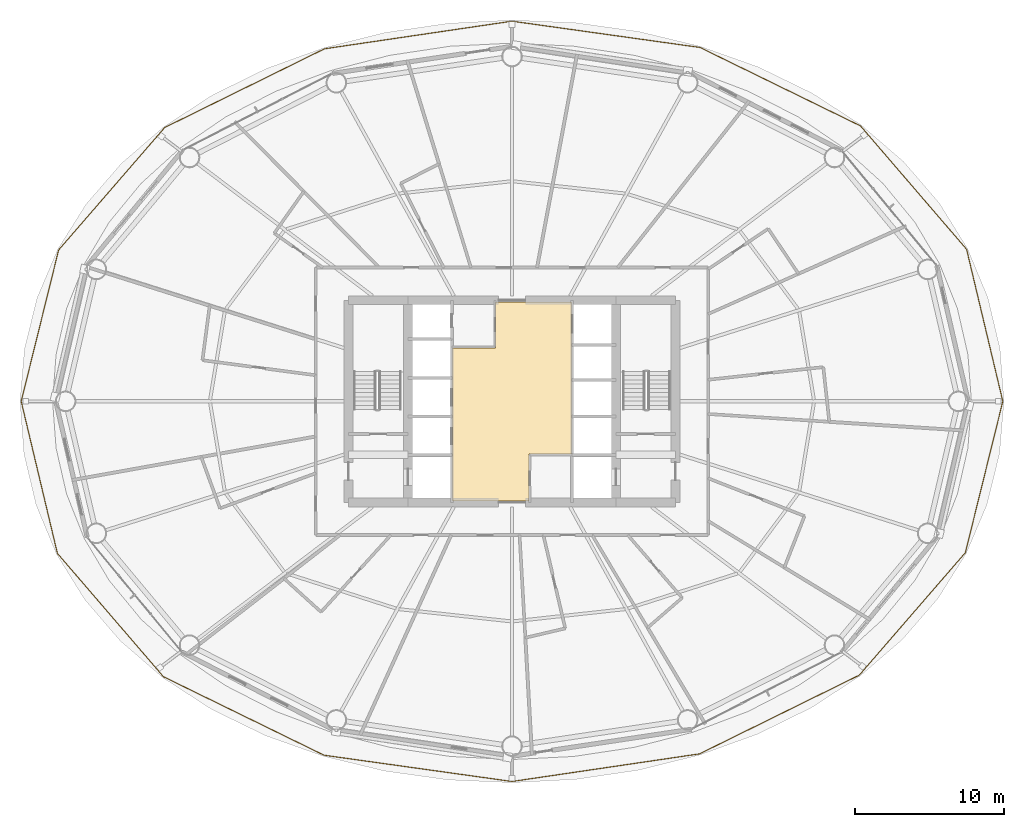
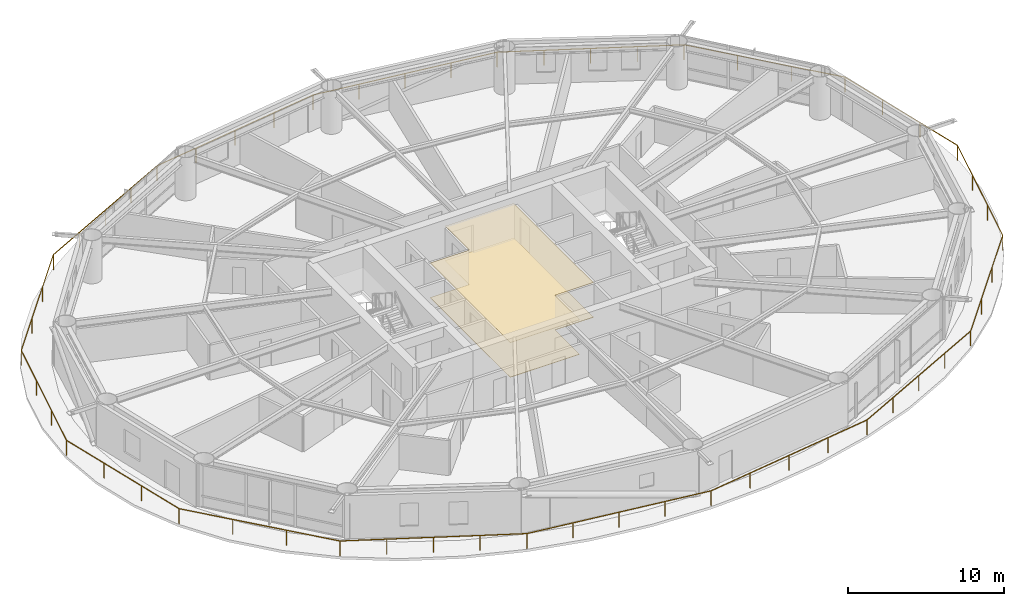
# One storey, part 25 of 26: 2 coverings, 1 railing.
"""IFC4 building model written with IfcOpenShell, lengths in metres."""

import ifcopenshell
import ifcopenshell.guid

model = None  # the IFC model being written
_history = None  # IfcOwnerHistory: only IFC2X3 demands one
_inside = {}  # id of a spatial element -> (the spatial element, [elements in it])
_under = {}  # id of a project, library or spatial element -> (it, [spatial elements below it])
_declared = {}  # id of a project -> (the project, [libraries it declares])
_typed = {}  # id of a type object -> (the type object, [elements of that type])
_made_of = {}  # id of a material, layer set ... -> (it, [elements and type objects made of it])


def new_model(schema):
    """Start an empty IFC model of exactly this schema.

    Asked for "IFC4X3", IfcOpenShell would pick the latest addendum, in which some entities
    have other attributes; the version numbers below select the first issue.
    IFC2X3 requires an IfcOwnerHistory on every rooted entity: one is made here for all.
    """
    global model, _history
    if schema == "IFC4X3":
        model = ifcopenshell.file(schema_version=(4, 3, 0, 0))
    else:
        model = ifcopenshell.file(schema=schema)
    _inside.clear()
    _under.clear()
    _declared.clear()
    _typed.clear()
    _made_of.clear()
    _history = None
    if model.schema == "IFC2X3":
        org = make("IfcOrganization", Name="unknown")
        user = make(
            "IfcPersonAndOrganization",
            ThePerson=make("IfcPerson", FamilyName="unknown"),
            TheOrganization=org,
        )
        app = make(
            "IfcApplication",
            ApplicationDeveloper=org,
            Version="unknown",
            ApplicationFullName="unknown",
            ApplicationIdentifier="unknown",
        )
        _history = make(
            "IfcOwnerHistory",
            OwningUser=user,
            OwningApplication=app,
            ChangeAction="ADDED",
            CreationDate=0,
        )
    return model


def make(cls, **values):
    """One entity of the class cls with the attributes given. An attribute that is None is left unset."""
    return model.create_entity(
        cls, **{name: value for name, value in values.items() if value is not None}
    )


def rooted(cls, **values):
    """An entity with a GlobalId (a new one), such as an element, a storey or a relation."""
    return make(cls, GlobalId=ifcopenshell.guid.new(), OwnerHistory=_history, **values)


def si_unit(unit_type, name, prefix=None):
    """IfcSIUnit, for example si_unit("LENGTHUNIT", "METRE", prefix="MILLI")."""
    return make("IfcSIUnit", UnitType=unit_type, Prefix=prefix, Name=name)


def assignment(units):
    """IfcUnitAssignment: the units of a project."""
    return None if units is None else make("IfcUnitAssignment", Units=units)


def point(xyz):
    """IfcCartesianPoint."""
    return None if xyz is None else make("IfcCartesianPoint", Coordinates=xyz)


def direction(xyz):
    """IfcDirection."""
    return None if xyz is None else make("IfcDirection", DirectionRatios=xyz)


def frame(location, z_axis=None, x_axis=None):
    """IfcAxis2Placement3D, a coordinate frame: its origin and axes. An axis left out is left unset."""
    return make(
        "IfcAxis2Placement3D",
        Location=point(location),
        Axis=direction(z_axis),
        RefDirection=direction(x_axis),
    )


def frame_2d(location, x_axis=None):
    """IfcAxis2Placement2D, a coordinate frame in the plane: its origin and x axis."""
    return make(
        "IfcAxis2Placement2D", Location=point(location), RefDirection=direction(x_axis)
    )


def origin():
    """The frame at (0, 0, 0) with its axes left unset."""
    return frame((0.0, 0.0, 0.0))


def origin_2d():
    """The frame at (0, 0) in the plane with its x axis left unset."""
    return frame_2d((0.0, 0.0))


def place(relative_to, where):
    """IfcLocalPlacement: puts the frame where relative to a parent placement (None: the world)."""
    return make(
        "IfcLocalPlacement", PlacementRelTo=relative_to, RelativePlacement=where
    )


def context(
    kind, dimensions, precision=None, world=None, true_north=None, identifier=None
):
    """IfcGeometricRepresentationContext, for example the 3D "Model" context."""
    return make(
        "IfcGeometricRepresentationContext",
        ContextIdentifier=identifier,
        ContextType=kind,
        CoordinateSpaceDimension=dimensions,
        Precision=precision,
        WorldCoordinateSystem=world,
        TrueNorth=true_north,
    )


def subcontext(parent, identifier, kind, view, scale=None):
    """IfcGeometricRepresentationSubContext, for example "Body" below "Model"."""
    return make(
        "IfcGeometricRepresentationSubContext",
        ContextIdentifier=identifier,
        ContextType=kind,
        ParentContext=parent,
        TargetScale=scale,
        TargetView=view,
    )


def project(units=None, contexts=None):
    """IfcProject with its units and contexts."""
    return rooted(
        "IfcProject",
        Name="project",
        RepresentationContexts=contexts,
        UnitsInContext=assignment(units),
    )


def spatial(cls, under=None, at=None, **own):
    """A site, building, storey or space (cls), placed at a placement, below another one or the project."""
    s = rooted(cls, ObjectPlacement=at, **own)
    if under is not None:
        _under.setdefault(under.id(), (under, []))[1].append(s)
    return s


def polyline(points):
    """IfcPolyline through the points."""
    return make("IfcPolyline", Points=[point(p) for p in points])


def profile(cls, at=None, kind="AREA", **sizes):
    """A parametric profile (cls). Its sizes go by their IFC names, for example OverallWidth=200.0."""
    return make(cls, ProfileType=kind, Position=at, **sizes)


def rectangle(**sizes):
    """IfcRectangleProfileDef."""
    return profile("IfcRectangleProfileDef", **sizes)


def outline(outer, holes=None, kind="AREA"):
    """IfcArbitraryClosedProfileDef: a profile drawn as a closed curve; with holes, ...WithVoids."""
    if holes is None:
        return make("IfcArbitraryClosedProfileDef", ProfileType=kind, OuterCurve=outer)
    return make(
        "IfcArbitraryProfileDefWithVoids",
        ProfileType=kind,
        OuterCurve=outer,
        InnerCurves=holes,
    )


def extrude(swept, where, along, depth):
    """IfcExtrudedAreaSolid: the profile swept, set in the frame where, extruded along a direction by depth."""
    return make(
        "IfcExtrudedAreaSolid",
        SweptArea=swept,
        Position=where,
        ExtrudedDirection=direction(along),
        Depth=depth,
    )


def shape(context_of_items, identifier, shape_type, items):
    """IfcShapeRepresentation: the items that make up one representation, for example the "Body"."""
    return make(
        "IfcShapeRepresentation",
        ContextOfItems=context_of_items,
        RepresentationIdentifier=identifier,
        RepresentationType=shape_type,
        Items=items,
    )


def material(Name=None, Category=None):
    """IfcMaterial."""
    return make("IfcMaterial", Name=Name, Category=Category)


def layer(
    of_material, thickness, ventilated=None, Name=None, Category=None, Priority=None
):
    """IfcMaterialLayer: one layer of a wall or slab, of a material (None: an air gap)."""
    return make(
        "IfcMaterialLayer",
        Material=of_material,
        LayerThickness=thickness,
        IsVentilated=ventilated,
        Name=Name,
        Category=Category,
        Priority=Priority,
    )


def layer_set(layers, Name=None):
    """IfcMaterialLayerSet."""
    return make("IfcMaterialLayerSet", MaterialLayers=layers, LayerSetName=Name)


def made_of(thing, what):
    """Note that an element or type object is made of a material, layer set ...; save() writes the relation."""
    if what is not None:
        _made_of.setdefault(what.id(), (what, []))[1].append(thing)
    return thing


def type_object(cls, material=None, **own):
    """A type object (cls), such as IfcWallType, which elements share."""
    return made_of(rooted(cls, **own), material)


def element(
    cls,
    number,
    at=None,
    inside=None,
    cuts=None,
    type_object=None,
    material=None,
    context=None,
    identifier="Body",
    shape_type=None,
    held_by="IfcProductDefinitionShape",
    body=None,
    shapes=None,
    **own,
):
    """One element of the class cls, such as IfcWall. Its Tag is "e" and its number.

    at: its placement. inside: the storey or other place that contains it. cuts: it is an
    opening in that element (IfcRelVoidsElement). A single representation is given by context,
    identifier, shape_type and body (its items); several are given by shapes. held_by: the class
    of the entity that holds the representations. save() writes the other relations.
    """
    e = rooted(cls, Tag="e%d" % number, ObjectPlacement=at, **own)
    if body is not None:
        shapes = [shape(context, identifier, shape_type, body)]
    if shapes is not None:
        e.Representation = make(held_by, Representations=shapes)
    if inside is not None:
        _inside.setdefault(inside.id(), (inside, []))[1].append(e)
    if cuts is not None:
        rooted(
            "IfcRelVoidsElement", RelatingBuildingElement=cuts, RelatedOpeningElement=e
        )
    if type_object is not None:
        _typed.setdefault(type_object.id(), (type_object, []))[1].append(e)
    return made_of(e, material)


def aggregate(whole, parts):
    """IfcRelAggregates: a whole, such as a stair, and the parts it consists of."""
    return rooted("IfcRelAggregates", RelatingObject=whole, RelatedObjects=parts)


def save(model, path):
    """Write the relations noted so far, then the file.

    IfcRelAggregates (storeys below a building ...), IfcRelContainedInSpatialStructure (elements
    in a storey), IfcRelDefinesByType, IfcRelAssociatesMaterial and IfcRelDeclares: one each for
    every whole, place, type object, material and project.
    """
    for whole, parts in _under.values():
        aggregate(whole, parts)
    for where, things in _inside.values():
        rooted(
            "IfcRelContainedInSpatialStructure",
            RelatedElements=things,
            RelatingStructure=where,
        )
    for kind, things in _typed.values():
        rooted("IfcRelDefinesByType", RelatedObjects=things, RelatingType=kind)
    for what, things in _made_of.values():
        rooted("IfcRelAssociatesMaterial", RelatedObjects=things, RelatingMaterial=what)
    for by, libraries in _declared.values():
        rooted("IfcRelDeclares", RelatingContext=by, RelatedDefinitions=libraries)
    model.write(path)


model = new_model("IFC4")

# Units and contexts
model_context = context("Model", 3, precision=1e-05, world=origin(), true_north=direction((0.0, 1.0)))
body_context = subcontext(model_context, "Body", "Model", "MODEL_VIEW")
ifc_project = project(units=[si_unit("LENGTHUNIT", "METRE"), si_unit("AREAUNIT", "SQUARE_METRE"), si_unit("VOLUMEUNIT", "CUBIC_METRE"), si_unit("PLANEANGLEUNIT", "RADIAN"), si_unit("MASSUNIT", "GRAM", prefix="KILO")], contexts=[model_context])

# Site, building, storey
site_placement = place(None, origin())
site = spatial("IfcSite", under=ifc_project, at=site_placement, CompositionType="ELEMENT")
building_placement = place(site_placement, origin())
building = spatial("IfcBuilding", under=site, at=building_placement, Name="Sarneth Arch Tower", CompositionType="ELEMENT")
storey_placement = place(building_placement, frame((0.0, 0.0, 49.800048828125)))
storey = spatial("IfcBuildingStorey", under=building, at=storey_placement, Name="L11", CompositionType="ELEMENT", Elevation=49.800048828125)

# Coverings
ifc_material_1 = material(Name="Perforated acoustic gypsum ceiling board")
ifc_layer_1 = layer(ifc_material_1, 0.02490234375)
ifc_layer_set_1 = layer_set([ifc_layer_1], Name="Perforated acoustic gypsum ceiling board")
covering_type_1 = type_object("IfcCoveringType", Name="COV-CEIL-GYP", PredefinedType="CEILING", material=ifc_layer_set_1)
covering_1_placement = place(storey_placement, frame((0.0, 0.0, 2.7099609375)))
element("IfcCovering", 1, at=covering_1_placement, inside=storey, type_object=covering_type_1, Name="L11 Lift lobby acoustic ceiling", PredefinedType="CEILING", context=body_context, shape_type="SweptSolid", body=[
    extrude(outline(polyline([(49.14990234375, 38.449951171875), (49.14990234375, 35.300048828125), (44.0, 35.300048828125), (44.0, 45.60009765625), (46.89990234375, 45.60009765625), (46.89990234375, 48.699951171875), (52.0, 48.699951171875), (52.0, 38.449951171875), (49.14990234375, 38.449951171875)])), origin(), (0.0, 0.0, 1.0), 0.030029296875),
])
ifc_material_2 = material(Name="Honed granite stone flooring", Category="masonry")
ifc_layer_2 = layer(ifc_material_2, 0.030029296875)
ifc_layer_set_2 = layer_set([ifc_layer_2], Name="Honed granite stone flooring")
covering_type_2 = type_object("IfcCoveringType", Name="COV-FLR-STONE", PredefinedType="FLOORING", material=ifc_layer_set_2)
covering_2_placement = place(storey_placement, origin())
element("IfcCovering", 2, at=covering_2_placement, inside=storey, type_object=covering_type_2, Name="L11 Lift lobby granite flooring", PredefinedType="FLOORING", context=body_context, shape_type="SweptSolid", body=[
    extrude(outline(polyline([(49.14990234375, 38.449951171875), (49.14990234375, 35.300048828125), (44.0, 35.300048828125), (44.0, 45.60009765625), (46.89990234375, 45.60009765625), (46.89990234375, 48.699951171875), (52.0, 48.699951171875), (52.0, 38.449951171875), (49.14990234375, 38.449951171875)])), origin(), (0.0, 0.0, 1.0), 0.030029296875),
])

# Railing
ifc_material_3 = material(Name="Laminated structural glass infill with Stainless Steel 316 top rail and posts", Category="steel")
railing_type = type_object("IfcRailingType", Name="RAIL-BALC-1200", PredefinedType="BALUSTRADE", material=ifc_material_3)
railing_placement = place(storey_placement, frame((81.0224609375, 42.0, 0.0)))
element("IfcRailing", 3, at=railing_placement, inside=storey, type_object=railing_type, Name="L11 Helical balcony glass balustrade", PredefinedType="BALUSTRADE", context=body_context, shape_type="SweptSolid", body=[
    extrude(rectangle(XDim=0.048095703125, YDim=0.048095703125, at=origin_2d()), frame((0.0, 0.0, 1.17578125), z_axis=(-0.231715730424, 0.972783542354, 0.0), x_axis=(-0.972783542354, -0.231715730424, 0.0)), (0.0, 0.0, 1.0), 10.51611328125),
    extrude(rectangle(XDim=0.048095703125, YDim=0.048095703125, at=origin_2d()), frame((-2.436767578125, 10.22998046875, 1.17578125), z_axis=(-0.652017472874, 0.758203940287, 0.0), x_axis=(-0.758203940287, -0.652017472874, 0.0)), (0.0, 0.0, 1.0), 10.9462890625),
    extrude(rectangle(XDim=0.048095703125, YDim=0.048095703125, at=origin_2d()), frame((-9.573974609375, 18.529541015625, 1.17578125), z_axis=(-0.898427443608, 0.439121997366, 0.0), x_axis=(-0.439121997366, -0.898427443608, 0.0)), (0.0, 0.0, 1.0), 12.0234375),
    extrude(rectangle(XDim=0.048095703125, YDim=0.048095703125, at=origin_2d()), frame((-20.376220703125, 23.809326171875, 1.17578125), z_axis=(-0.990370236197, 0.138444195454, 0.0), x_axis=(-0.138444195454, -0.990370236197, 0.0)), (0.0, 0.0, 1.0), 12.769287109375),
    extrude(rectangle(XDim=0.048095703125, YDim=0.048095703125, at=origin_2d()), frame((-33.0224609375, 25.5771484375, 1.17578125), z_axis=(-0.989318575358, -0.145769531972, 0.0), x_axis=(0.145769531972, -0.989318575358, 0.0)), (0.0, 0.0, 1.0), 12.75390625),
    extrude(rectangle(XDim=0.048095703125, YDim=0.048095703125, at=origin_2d()), frame((-45.64013671875, 23.718017578125, 1.17578125), z_axis=(-0.897027796161, -0.441974131499, 0.0), x_axis=(0.441974131499, -0.897027796161, 0.0)), (0.0, 0.0, 1.0), 11.9833984375),
    extrude(rectangle(XDim=0.048095703125, YDim=0.048095703125, at=origin_2d()), frame((-56.3896484375, 18.421630859375, 1.17578125), z_axis=(-0.654688294017, -0.755898959966, 0.0), x_axis=(0.755898959966, -0.654688294017, 0.0)), (0.0, 0.0, 1.0), 10.8984375),
    extrude(rectangle(XDim=0.048095703125, YDim=0.048095703125, at=origin_2d()), frame((-63.524658203125, 10.18359375, 1.17578125), z_axis=(-0.240235138813, -0.970714725385, 0.0), x_axis=(0.970714725385, -0.240235138813, 0.0)), (0.0, 0.0, 1.0), 10.49072265625),
    extrude(rectangle(XDim=0.048095703125, YDim=0.048095703125, at=origin_2d()), frame((-66.044921875, 0.0, 1.17578125), z_axis=(0.231715730424, -0.972783542354, 0.0), x_axis=(0.972783542354, 0.231715730424, 0.0)), (0.0, 0.0, 1.0), 10.51611328125),
    extrude(rectangle(XDim=0.048095703125, YDim=0.048095703125, at=origin_2d()), frame((-63.608154296875, -10.22998046875, 1.17578125), z_axis=(0.652017472874, -0.758203940287, 0.0), x_axis=(0.758203940287, 0.652017472874, 0.0)), (0.0, 0.0, 1.0), 10.9462890625),
    extrude(rectangle(XDim=0.048095703125, YDim=0.048095703125, at=origin_2d()), frame((-56.470947265625, -18.529541015625, 1.17578125), z_axis=(0.898427443608, -0.439121997366, 0.0), x_axis=(0.439121997366, 0.898427443608, 0.0)), (0.0, 0.0, 1.0), 12.0234375),
    extrude(rectangle(XDim=0.048095703125, YDim=0.048095703125, at=origin_2d()), frame((-45.668701171875, -23.809326171875, 1.17578125), z_axis=(0.990370236197, -0.138444195454, 0.0), x_axis=(0.138444195454, 0.990370236197, 0.0)), (0.0, 0.0, 1.0), 12.769287109375),
    extrude(rectangle(XDim=0.048095703125, YDim=0.048095703125, at=origin_2d()), frame((-33.0224609375, -25.5771484375, 1.17578125), z_axis=(0.989318575358, 0.145769531972, 0.0), x_axis=(-0.145769531972, 0.989318575358, 0.0)), (0.0, 0.0, 1.0), 12.75390625),
    extrude(rectangle(XDim=0.048095703125, YDim=0.048095703125, at=origin_2d()), frame((-20.40478515625, -23.718017578125, 1.17578125), z_axis=(0.897027796161, 0.441974131499, 0.0), x_axis=(-0.441974131499, 0.897027796161, 0.0)), (0.0, 0.0, 1.0), 11.9833984375),
    extrude(rectangle(XDim=0.048095703125, YDim=0.048095703125, at=origin_2d()), frame((-9.6552734375, -18.421630859375, 1.17578125), z_axis=(0.654688294017, 0.755898959966, 0.0), x_axis=(-0.755898959966, 0.654688294017, 0.0)), (0.0, 0.0, 1.0), 10.8984375),
    extrude(rectangle(XDim=0.048095703125, YDim=0.048095703125, at=origin_2d()), frame((-2.520263671875, -10.18359375, 1.17578125), z_axis=(0.240235138813, 0.970714725385, 0.0), x_axis=(-0.970714725385, 0.240235138813, 0.0)), (0.0, 0.0, 1.0), 10.49072265625),
    extrude(rectangle(XDim=0.0419921875, YDim=0.0419921875, at=origin_2d()), origin(), (0.0, 0.0, 1.0), 1.15185546875),
    extrude(rectangle(XDim=0.0419921875, YDim=0.0419921875, at=origin_2d()), frame((-0.812255859375, 3.409912109375, 0.0)), (0.0, 0.0, 1.0), 1.15185546875),
    extrude(rectangle(XDim=0.0419921875, YDim=0.0419921875, at=origin_2d()), frame((-1.62451171875, 6.820068359375, 0.0)), (0.0, 0.0, 1.0), 1.15185546875),
    extrude(rectangle(XDim=0.0419921875, YDim=0.0419921875, at=origin_2d()), frame((-2.436767578125, 10.22998046875, 0.0)), (0.0, 0.0, 1.0), 1.15185546875),
    extrude(rectangle(XDim=0.0419921875, YDim=0.0419921875, at=origin_2d()), frame((-4.81591796875, 12.99658203125, 0.0)), (0.0, 0.0, 1.0), 1.15185546875),
    extrude(rectangle(XDim=0.0419921875, YDim=0.0419921875, at=origin_2d()), frame((-7.19482421875, 15.762939453125, 0.0)), (0.0, 0.0, 1.0), 1.15185546875),
    extrude(rectangle(XDim=0.0419921875, YDim=0.0419921875, at=origin_2d()), frame((-9.573974609375, 18.529541015625, 0.0)), (0.0, 0.0, 1.0), 1.15185546875),
    extrude(rectangle(XDim=0.0419921875, YDim=0.0419921875, at=origin_2d()), frame((-12.2744140625, 19.849609375, 0.0)), (0.0, 0.0, 1.0), 1.15185546875),
    extrude(rectangle(XDim=0.0419921875, YDim=0.0419921875, at=origin_2d()), frame((-14.97509765625, 21.16943359375, 0.0)), (0.0, 0.0, 1.0), 1.15185546875),
    extrude(rectangle(XDim=0.0419921875, YDim=0.0419921875, at=origin_2d()), frame((-17.67578125, 22.4892578125, 0.0)), (0.0, 0.0, 1.0), 1.15185546875),
    extrude(rectangle(XDim=0.0419921875, YDim=0.0419921875, at=origin_2d()), frame((-20.376220703125, 23.809326171875, 0.0)), (0.0, 0.0, 1.0), 1.15185546875),
    extrude(rectangle(XDim=0.0419921875, YDim=0.0419921875, at=origin_2d()), frame((-23.537841796875, 24.251220703125, 0.0)), (0.0, 0.0, 1.0), 1.15185546875),
    extrude(rectangle(XDim=0.0419921875, YDim=0.0419921875, at=origin_2d()), frame((-26.69921875, 24.693359375, 0.0)), (0.0, 0.0, 1.0), 1.15185546875),
    extrude(rectangle(XDim=0.0419921875, YDim=0.0419921875, at=origin_2d()), frame((-29.86083984375, 25.13525390625, 0.0)), (0.0, 0.0, 1.0), 1.15185546875),
    extrude(rectangle(XDim=0.0419921875, YDim=0.0419921875, at=origin_2d()), frame((-33.0224609375, 25.5771484375, 0.0)), (0.0, 0.0, 1.0), 1.15185546875),
    extrude(rectangle(XDim=0.0419921875, YDim=0.0419921875, at=origin_2d()), frame((-36.1767578125, 25.1123046875, 0.0)), (0.0, 0.0, 1.0), 1.15185546875),
    extrude(rectangle(XDim=0.0419921875, YDim=0.0419921875, at=origin_2d()), frame((-39.331298828125, 24.6474609375, 0.0)), (0.0, 0.0, 1.0), 1.15185546875),
    extrude(rectangle(XDim=0.0419921875, YDim=0.0419921875, at=origin_2d()), frame((-42.48583984375, 24.182861328125, 0.0)), (0.0, 0.0, 1.0), 1.15185546875),
    extrude(rectangle(XDim=0.0419921875, YDim=0.0419921875, at=origin_2d()), frame((-45.64013671875, 23.718017578125, 0.0)), (0.0, 0.0, 1.0), 1.15185546875),
    extrude(rectangle(XDim=0.0419921875, YDim=0.0419921875, at=origin_2d()), frame((-48.32763671875, 22.39404296875, 0.0)), (0.0, 0.0, 1.0), 1.15185546875),
    extrude(rectangle(XDim=0.0419921875, YDim=0.0419921875, at=origin_2d()), frame((-51.014892578125, 21.06982421875, 0.0)), (0.0, 0.0, 1.0), 1.15185546875),
    extrude(rectangle(XDim=0.0419921875, YDim=0.0419921875, at=origin_2d()), frame((-53.7021484375, 19.74560546875, 0.0)), (0.0, 0.0, 1.0), 1.15185546875),
    extrude(rectangle(XDim=0.0419921875, YDim=0.0419921875, at=origin_2d()), frame((-56.3896484375, 18.421630859375, 0.0)), (0.0, 0.0, 1.0), 1.15185546875),
    extrude(rectangle(XDim=0.0419921875, YDim=0.0419921875, at=origin_2d()), frame((-58.76806640625, 15.675537109375, 0.0)), (0.0, 0.0, 1.0), 1.15185546875),
    extrude(rectangle(XDim=0.0419921875, YDim=0.0419921875, at=origin_2d()), frame((-61.146240234375, 12.9296875, 0.0)), (0.0, 0.0, 1.0), 1.15185546875),
    extrude(rectangle(XDim=0.0419921875, YDim=0.0419921875, at=origin_2d()), frame((-63.524658203125, 10.18359375, 0.0)), (0.0, 0.0, 1.0), 1.15185546875),
    extrude(rectangle(XDim=0.0419921875, YDim=0.0419921875, at=origin_2d()), frame((-64.36474609375, 6.7890625, 0.0)), (0.0, 0.0, 1.0), 1.15185546875),
    extrude(rectangle(XDim=0.0419921875, YDim=0.0419921875, at=origin_2d()), frame((-65.204833984375, 3.39453125, 0.0)), (0.0, 0.0, 1.0), 1.15185546875),
    extrude(rectangle(XDim=0.0419921875, YDim=0.0419921875, at=origin_2d()), frame((-66.044921875, 0.0, 0.0)), (0.0, 0.0, 1.0), 1.15185546875),
    extrude(rectangle(XDim=0.0419921875, YDim=0.0419921875, at=origin_2d()), frame((-65.232666015625, -3.409912109375, 0.0)), (0.0, 0.0, 1.0), 1.15185546875),
    extrude(rectangle(XDim=0.0419921875, YDim=0.0419921875, at=origin_2d()), frame((-64.42041015625, -6.820068359375, 0.0)), (0.0, 0.0, 1.0), 1.15185546875),
    extrude(rectangle(XDim=0.0419921875, YDim=0.0419921875, at=origin_2d()), frame((-63.608154296875, -10.22998046875, 0.0)), (0.0, 0.0, 1.0), 1.15185546875),
    extrude(rectangle(XDim=0.0419921875, YDim=0.0419921875, at=origin_2d()), frame((-61.22900390625, -12.99658203125, 0.0)), (0.0, 0.0, 1.0), 1.15185546875),
    extrude(rectangle(XDim=0.0419921875, YDim=0.0419921875, at=origin_2d()), frame((-58.85009765625, -15.762939453125, 0.0)), (0.0, 0.0, 1.0), 1.15185546875),
    extrude(rectangle(XDim=0.0419921875, YDim=0.0419921875, at=origin_2d()), frame((-56.470947265625, -18.529541015625, 0.0)), (0.0, 0.0, 1.0), 1.15185546875),
    extrude(rectangle(XDim=0.0419921875, YDim=0.0419921875, at=origin_2d()), frame((-53.7705078125, -19.849609375, 0.0)), (0.0, 0.0, 1.0), 1.15185546875),
    extrude(rectangle(XDim=0.0419921875, YDim=0.0419921875, at=origin_2d()), frame((-51.06982421875, -21.16943359375, 0.0)), (0.0, 0.0, 1.0), 1.15185546875),
    extrude(rectangle(XDim=0.0419921875, YDim=0.0419921875, at=origin_2d()), frame((-48.369140625, -22.4892578125, 0.0)), (0.0, 0.0, 1.0), 1.15185546875),
    extrude(rectangle(XDim=0.0419921875, YDim=0.0419921875, at=origin_2d()), frame((-45.668701171875, -23.809326171875, 0.0)), (0.0, 0.0, 1.0), 1.15185546875),
    extrude(rectangle(XDim=0.0419921875, YDim=0.0419921875, at=origin_2d()), frame((-42.507080078125, -24.251220703125, 0.0)), (0.0, 0.0, 1.0), 1.15185546875),
    extrude(rectangle(XDim=0.0419921875, YDim=0.0419921875, at=origin_2d()), frame((-39.345703125, -24.693359375, 0.0)), (0.0, 0.0, 1.0), 1.15185546875),
    extrude(rectangle(XDim=0.0419921875, YDim=0.0419921875, at=origin_2d()), frame((-36.18408203125, -25.13525390625, 0.0)), (0.0, 0.0, 1.0), 1.15185546875),
    extrude(rectangle(XDim=0.0419921875, YDim=0.0419921875, at=origin_2d()), frame((-33.0224609375, -25.5771484375, 0.0)), (0.0, 0.0, 1.0), 1.15185546875),
    extrude(rectangle(XDim=0.0419921875, YDim=0.0419921875, at=origin_2d()), frame((-29.8681640625, -25.1123046875, 0.0)), (0.0, 0.0, 1.0), 1.15185546875),
    extrude(rectangle(XDim=0.0419921875, YDim=0.0419921875, at=origin_2d()), frame((-26.713623046875, -24.6474609375, 0.0)), (0.0, 0.0, 1.0), 1.15185546875),
    extrude(rectangle(XDim=0.0419921875, YDim=0.0419921875, at=origin_2d()), frame((-23.55908203125, -24.182861328125, 0.0)), (0.0, 0.0, 1.0), 1.15185546875),
    extrude(rectangle(XDim=0.0419921875, YDim=0.0419921875, at=origin_2d()), frame((-20.40478515625, -23.718017578125, 0.0)), (0.0, 0.0, 1.0), 1.15185546875),
    extrude(rectangle(XDim=0.0419921875, YDim=0.0419921875, at=origin_2d()), frame((-17.71728515625, -22.39404296875, 0.0)), (0.0, 0.0, 1.0), 1.15185546875),
    extrude(rectangle(XDim=0.0419921875, YDim=0.0419921875, at=origin_2d()), frame((-15.030029296875, -21.06982421875, 0.0)), (0.0, 0.0, 1.0), 1.15185546875),
    extrude(rectangle(XDim=0.0419921875, YDim=0.0419921875, at=origin_2d()), frame((-12.3427734375, -19.74560546875, 0.0)), (0.0, 0.0, 1.0), 1.15185546875),
    extrude(rectangle(XDim=0.0419921875, YDim=0.0419921875, at=origin_2d()), frame((-9.6552734375, -18.421630859375, 0.0)), (0.0, 0.0, 1.0), 1.15185546875),
    extrude(rectangle(XDim=0.0419921875, YDim=0.0419921875, at=origin_2d()), frame((-7.27685546875, -15.675537109375, 0.0)), (0.0, 0.0, 1.0), 1.15185546875),
    extrude(rectangle(XDim=0.0419921875, YDim=0.0419921875, at=origin_2d()), frame((-4.898681640625, -12.9296875, 0.0)), (0.0, 0.0, 1.0), 1.15185546875),
    extrude(rectangle(XDim=0.0419921875, YDim=0.0419921875, at=origin_2d()), frame((-2.520263671875, -10.18359375, 0.0)), (0.0, 0.0, 1.0), 1.15185546875),
    extrude(rectangle(XDim=0.0419921875, YDim=0.0419921875, at=origin_2d()), frame((-1.68017578125, -6.7890625, 0.0)), (0.0, 0.0, 1.0), 1.15185546875),
    extrude(rectangle(XDim=0.0419921875, YDim=0.0419921875, at=origin_2d()), frame((-0.840087890625, -3.39453125, 0.0)), (0.0, 0.0, 1.0), 1.15185546875),
])

save(model, "model.ifc")
